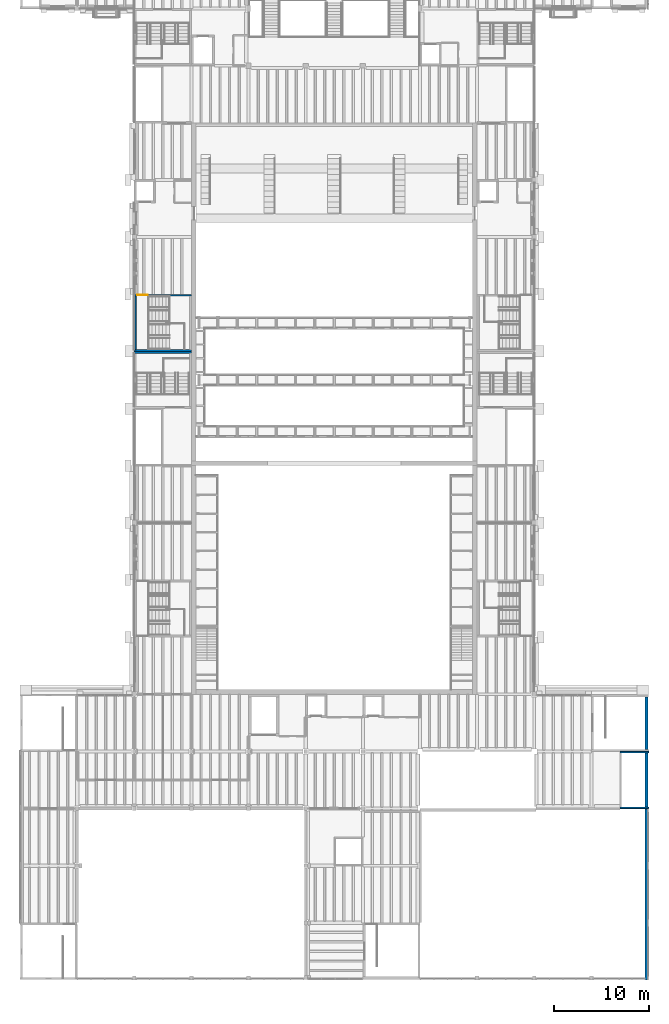
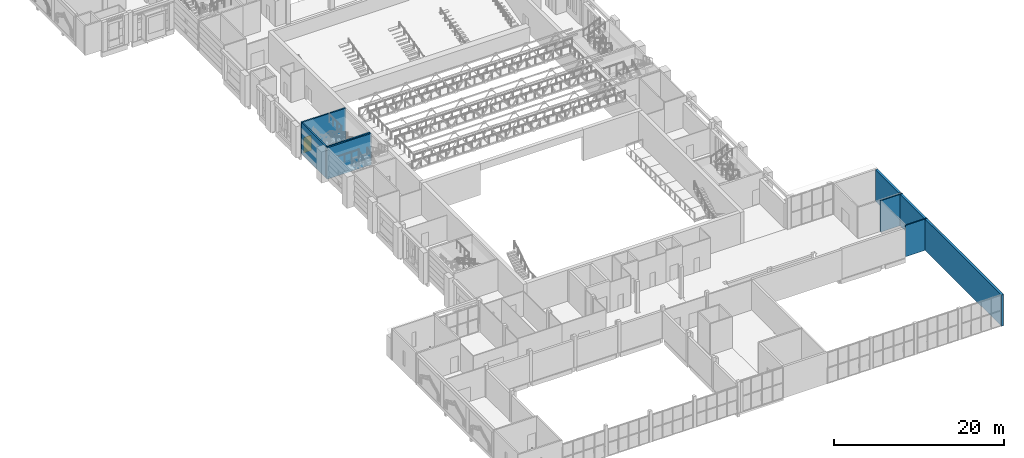
# One storey, part 28 of 70: 9 walls, 1 door, 1 opening.
"""IFC4 building model written with IfcOpenShell, lengths in metres."""

from ifc_helpers import new_model, si_unit, direction, frame, frame_2d, origin, place, context, subcontext, project, spatial, rectangle, extrude, material, layer, layer_set, type_object, element, fill, save


model = new_model("IFC4")

# Units and contexts
model_context = context("Model", 3, precision=1e-05, world=origin(), true_north=direction((0.0, 1.0)))
body_context = subcontext(model_context, "Body", "Model", "MODEL_VIEW")
ifc_project = project(units=[si_unit("LENGTHUNIT", "METRE"), si_unit("AREAUNIT", "SQUARE_METRE"), si_unit("VOLUMEUNIT", "CUBIC_METRE"), si_unit("PLANEANGLEUNIT", "RADIAN"), si_unit("MASSUNIT", "GRAM", prefix="KILO")], contexts=[model_context])

# Site, building, storey
site_placement = place(None, origin())
site = spatial("IfcSite", under=ifc_project, at=site_placement, CompositionType="ELEMENT")
building_placement = place(site_placement, origin())
building = spatial("IfcBuilding", under=site, at=building_placement, Name="Saffron Lane Theatres", CompositionType="ELEMENT")
storey_placement = place(building_placement, frame((0.0, 0.0, 12.0)))
storey = spatial("IfcBuildingStorey", under=building, at=storey_placement, Name="L02", CompositionType="ELEMENT", Elevation=12.0)

# Walls
ifc_material_1 = material(Name="Concrete N50 (50 MPa)", Category="concrete")
ifc_layer_1 = layer(ifc_material_1, 0.14990234375)
ifc_layer_set_1 = layer_set([ifc_layer_1], Name="Concrete N50 (50 MPa)")
wall_type_1 = type_object("IfcWallType", Name="RC-CORE 150", PredefinedType="SHEAR", material=ifc_layer_set_1)
for number, where, z_axis, x_axis, name in (
    (1, (63.0, 23.925048828125, 0.0), (0.0, 0.0, 1.0), (1.0, 0.0, 0.0), "W-R6-N-L02"),
    (2, (63.0, 18.074951171875, 0.0), (0.0, 0.0, 1.0), (1.0, 0.0, 0.0), "W-R6-S-L02"),
):
    element("IfcWall", number, at=place(storey_placement, frame(where, z_axis=z_axis, x_axis=x_axis)), inside=storey, type_object=wall_type_1, Name=name, PredefinedType="SHEAR", context=body_context, shape_type="SweptSolid", body=[
        extrude(rectangle(XDim=3.0, YDim=0.14990234375, at=frame_2d((1.5, 0.0))), origin(), (0.0, 0.0, 1.0), 4.5),
    ])

# Wall, opening, door
ifc_material_2 = material(Name="Concrete N50 (50 MPa)", Category="concrete")
ifc_layer_2 = layer(ifc_material_2, 0.199951171875)
ifc_layer_set_2 = layer_set([ifc_layer_2], Name="Concrete N50 (50 MPa)")
wall_type_2 = type_object("IfcWallType", Name="RC-CORE 200", PredefinedType="SHEAR", material=ifc_layer_set_2)
wall_1_placement = place(storey_placement, frame((12.0, 71.89990234375, 0.0), z_axis=(0.0, 0.0, 1.0), x_axis=(1.0, 0.0, 0.0)))
wall_1 = element("IfcWall", 3, at=wall_1_placement, inside=storey, type_object=wall_type_2, Name="W-ST3-N-L02", PredefinedType="SHEAR", context=body_context, shape_type="SweptSolid", body=[
    extrude(rectangle(XDim=6.0, YDim=0.199951171875, at=frame_2d((3.0, 0.0))), origin(), (0.0, 0.0, 1.0), 4.5),
])
opening_placement = place(wall_1_placement, frame((0.300048828125, 0.0, 0.0)))
opening = element("IfcOpeningElement", 4, at=opening_placement, cuts=wall_1, Name="Opening D02-18", PredefinedType="OPENING", context=body_context, shape_type="SweptSolid", body=[
    extrude(rectangle(XDim=1.10009765625, YDim=2.199951171875, at=frame_2d((0.550048828125, 1.10009765625))), frame((0.0, 0.10986328125, 0.0), z_axis=(0.0, -1.0, 0.0), x_axis=(1.0, 0.0, 0.0)), (0.0, 0.0, 1.0), 0.219970703125),
])
ifc_material_3 = material(Name="Steel faced fire door leaf", Category="steel")
door_type = type_object("IfcDoorType", Name="IN-DOOR 1100x2200 FD120", OperationType="NOTDEFINED", PredefinedType="DOOR", material=ifc_material_3)
door_placement = place(opening_placement, frame((1.10009765625, 0.0, 0.0), z_axis=(0.0, 0.0, 1.0), x_axis=(-1.0, 0.0, 0.0)))
door = element("IfcDoor", 5, at=door_placement, inside=storey, type_object=door_type, Name="D02-18", OperationType="SINGLE_SWING_LEFT", OverallHeight=2.199951171875, OverallWidth=1.10009765625, PredefinedType="DOOR", context=body_context, shape_type="SweptSolid", body=[
    extrude(rectangle(XDim=1.10009765625, YDim=2.199951171875, at=frame_2d((0.550048828125, 1.10009765625))), frame((0.0, 0.02490234375, 0.0), z_axis=(0.0, -1.0, 0.0), x_axis=(1.0, 0.0, 0.0)), (0.0, 0.0, 1.0), 0.050048828125),
])
fill(opening, door)

# Walls
for number, where, z_axis, x_axis, name in (
    (6, (12.0, 66.10009765625, 0.0), (0.0, 0.0, 1.0), (1.0, 0.0, 0.0), "W-ST3-S-L02"),
    (7, (12.0, 65.89990234375, 0.0), (0.0, 0.0, 1.0), (1.0, 0.0, 0.0), "W-ST10-N-L02"),
):
    element("IfcWall", number, at=place(storey_placement, frame(where, z_axis=z_axis, x_axis=x_axis)), inside=storey, type_object=wall_type_2, Name=name, PredefinedType="SHEAR", context=body_context, shape_type="SweptSolid", body=[
        extrude(rectangle(XDim=6.0, YDim=0.199951171875, at=frame_2d((3.0, 0.0))), origin(), (0.0, 0.0, 1.0), 4.5),
    ])
ifc_material_4 = material(Name="Concrete N50 (50 MPa)", Category="concrete")
ifc_layer_3 = layer(ifc_material_4, 0.199951171875)
ifc_layer_set_3 = layer_set([ifc_layer_3], Name="Concrete N50 (50 MPa)")
wall_type_3 = type_object("IfcWallType", Name="RC-CORE EXTERNAL 200", PredefinedType="SHEAR", material=ifc_layer_set_3)
wall_2_placement = place(storey_placement, frame((12.10009765625, 66.199951171875, 0.0), z_axis=(0.0, 0.0, 1.0), x_axis=(0.0, 1.0, 0.0)))
element("IfcWall", 8, at=wall_2_placement, inside=storey, type_object=wall_type_3, Name="W-ST3-W-L02", PredefinedType="SHEAR", context=body_context, shape_type="SweptSolid", body=[
    extrude(rectangle(XDim=5.60009765625, YDim=0.199951171875, at=frame_2d((2.800048828125, 0.0))), origin(), (0.0, 0.0, 1.0), 4.5),
])
ifc_material_5 = material(Name="Concrete N50 (50 MPa)", Category="concrete")
ifc_layer_4 = layer(ifc_material_5, 0.300048828125)
ifc_layer_set_4 = layer_set([ifc_layer_4], Name="Concrete N50 (50 MPa)")
wall_type_4 = type_object("IfcWallType", Name="RC-CORE EXTERNAL 300", PredefinedType="SHEAR", material=ifc_layer_set_4)
wall_3_placement = place(storey_placement, frame((65.7900390625, 24.199951171875, 0.0), z_axis=(0.0, 0.0, 1.0), x_axis=(0.0, 1.0, 0.0)))
element("IfcWall", 9, at=wall_3_placement, inside=storey, type_object=wall_type_4, Name="W-ST13-E-L02", PredefinedType="SHEAR", context=body_context, shape_type="SweptSolid", body=[
    extrude(rectangle(XDim=5.5, YDim=0.300048828125, at=frame_2d((2.75, 0.0))), origin(), (0.0, 0.0, 1.0), 4.5),
])
wall_4_placement = place(storey_placement, frame((65.7900390625, 18.14990234375, 0.0), z_axis=(0.0, 0.0, 1.0), x_axis=(0.0, 1.0, 0.0)))
element("IfcWall", 10, at=wall_4_placement, inside=storey, type_object=wall_type_4, Name="W-R6-E-L02", PredefinedType="SHEAR", context=body_context, shape_type="SweptSolid", body=[
    extrude(rectangle(XDim=5.7001953125, YDim=0.300048828125, at=frame_2d((2.85009765625, 0.0))), origin(), (0.0, 0.0, 1.0), 4.5),
])
ifc_material_6 = material(Name="Concrete N50 (50 MPa)", Category="concrete")
ifc_layer_5 = layer(ifc_material_6, 0.300048828125)
ifc_layer_set_5 = layer_set([ifc_layer_5], Name="Concrete N50 (50 MPa)")
wall_type_5 = type_object("IfcWallType", Name="RC-PARTY 300", PredefinedType="SOLIDWALL", material=ifc_layer_set_5)
wall_5_placement = place(storey_placement, frame((65.7900390625, 0.0, 0.0), z_axis=(0.0, 0.0, 1.0), x_axis=(0.0, 1.0, 0.0)))
element("IfcWall", 11, at=wall_5_placement, inside=storey, type_object=wall_type_5, Name="W-PARTY-E-0-L02", PredefinedType="SOLIDWALL", context=body_context, shape_type="SweptSolid", body=[
    extrude(rectangle(XDim=18.0, YDim=0.300048828125, at=frame_2d((9.0, 0.0))), origin(), (0.0, 0.0, 1.0), 4.5),
])

save(model, "model.ifc")
